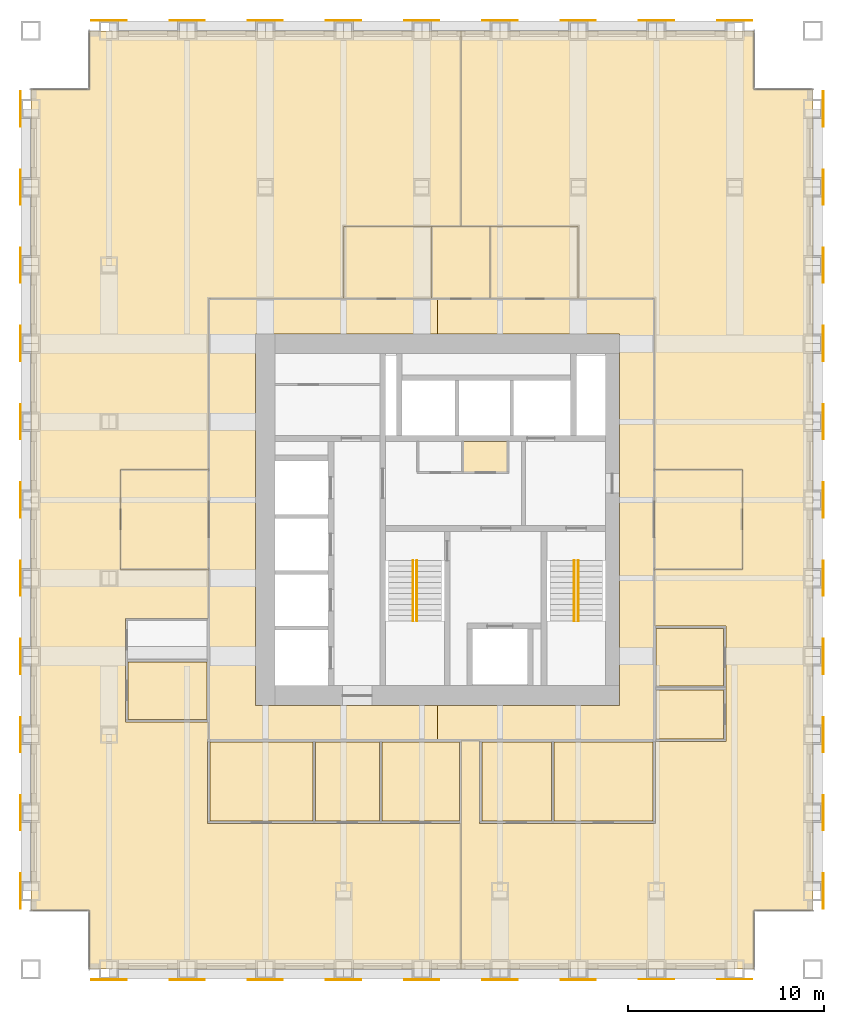
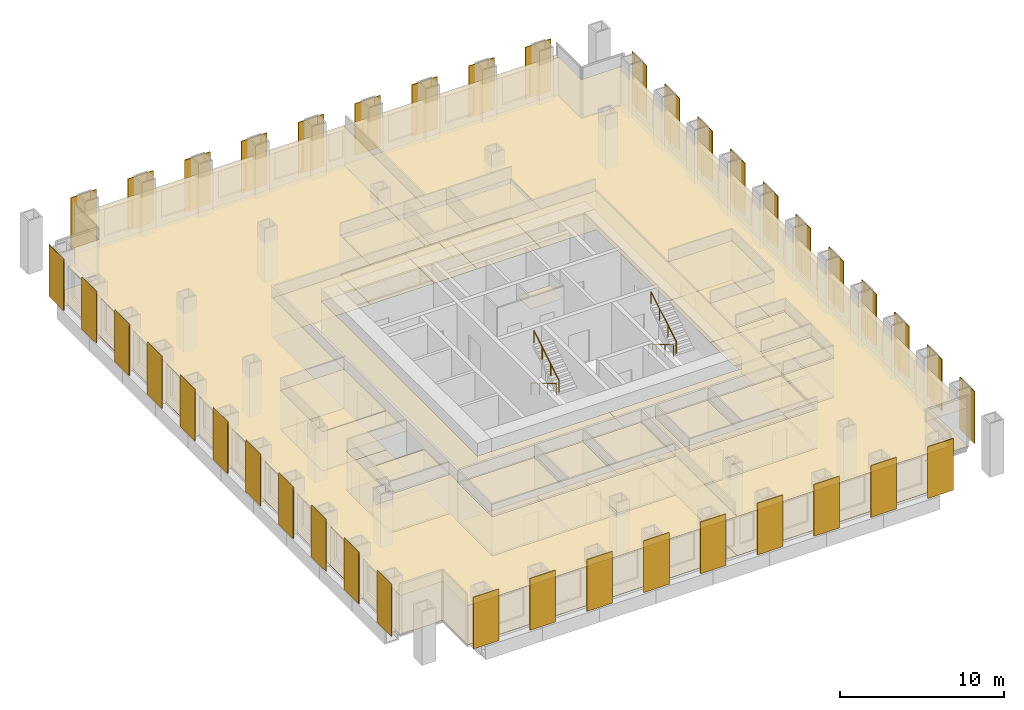
# One storey, part 12 of 12: 40 shading devices, 33 coverings, 4 railings.
"""IFC4 building model written with IfcOpenShell, lengths in metres."""

from ifc_helpers import new_model, si_unit, direction, frame, origin, origin_2d, place, context, subcontext, project, spatial, polyline, rectangle, circle, outline, extrude, material, layer, layer_set, type_object, element, save


model = new_model("IFC4")

# Units and contexts
model_context = context("Model", 3, precision=1e-05, world=origin(), true_north=direction((0.0, 1.0)))
body_context = subcontext(model_context, "Body", "Model", "MODEL_VIEW")
ifc_project = project(units=[si_unit("LENGTHUNIT", "METRE"), si_unit("AREAUNIT", "SQUARE_METRE"), si_unit("VOLUMEUNIT", "CUBIC_METRE"), si_unit("PLANEANGLEUNIT", "RADIAN"), si_unit("MASSUNIT", "GRAM", prefix="KILO")], contexts=[model_context])

# Site, building, storey
site_placement = place(None, origin())
site = spatial("IfcSite", under=ifc_project, at=site_placement, CompositionType="ELEMENT")
building_placement = place(site_placement, origin())
building = spatial("IfcBuilding", under=site, at=building_placement, Name="Rimbunsela Tower", CompositionType="ELEMENT")
storey_placement = place(building_placement, frame((0.0, 0.0, 147.800048828125)))
storey = spatial("IfcBuildingStorey", under=building, at=storey_placement, Name="L35", CompositionType="ELEMENT", Elevation=147.800048828125)

# Coverings
ifc_material_1 = material(Name="Nylon carpet tile", Category="textile")
ifc_layer_1 = layer(ifc_material_1, 0.010009765625)
ifc_layer_set_1 = layer_set([ifc_layer_1], Name="Carpet tile 10")
covering_type_1 = type_object("IfcCoveringType", Name="Carpet tile 10", PredefinedType="FLOORING", material=ifc_layer_set_1)
covering_1_placement = place(storey_placement, origin())
element("IfcCovering", 1, at=covering_1_placement, inside=storey, type_object=covering_type_1, Name="Floor finish Open office", PredefinedType="FLOORING", context=body_context, shape_type="SweptSolid", body=[
    extrude(outline(polyline([(20.550048828125, 11.449951171875), (23.85009765625, 11.449951171875), (23.949951171875, 11.449951171875), (27.9990234375, 11.449951171875), (27.9990234375, 4.0), (15.10009765625, 4.0), (9.0, 4.0), (9.0, 7.0), (6.0, 7.0), (6.0, 49.0), (9.0, 49.0), (9.0, 52.0), (15.10009765625, 52.0), (27.9990234375, 52.0), (27.9990234375, 42.0), (22.0, 42.0), (22.0, 38.300048828125), (15.10009765625, 38.300048828125), (15.10009765625, 29.550048828125), (10.60009765625, 29.550048828125), (10.60009765625, 24.449951171875), (15.10009765625, 24.449951171875), (15.10009765625, 21.949951171875), (10.85009765625, 21.949951171875), (10.85009765625, 19.85009765625), (10.85009765625, 19.75), (10.85009765625, 16.64990234375), (15.10009765625, 16.64990234375), (15.10009765625, 15.75), (15.050048828125, 15.75), (15.050048828125, 11.449951171875), (15.10009765625, 11.449951171875), (20.449951171875, 11.449951171875), (20.550048828125, 11.449951171875)])), origin(), (0.0, 0.0, 1.0), 0.010009765625),
])
covering_2_placement = place(storey_placement, origin())
element("IfcCovering", 2, at=covering_2_placement, inside=storey, type_object=covering_type_1, Name="Floor finish Open office", PredefinedType="FLOORING", context=body_context, shape_type="SweptSolid", body=[
    extrude(outline(polyline([(28.0009765625, 15.699951171875), (28.948974609375, 15.699951171875), (28.948974609375, 11.449951171875), (32.64892578125, 11.449951171875), (32.7490234375, 11.449951171875), (37.89990234375, 11.449951171875), (37.949951171875, 11.449951171875), (37.949951171875, 15.64990234375), (41.550048828125, 15.64990234375), (41.550048828125, 18.35009765625), (41.550048828125, 18.39990234375), (41.550048828125, 21.550048828125), (37.89990234375, 21.550048828125), (37.89990234375, 24.449951171875), (42.39990234375, 24.449951171875), (42.39990234375, 29.550048828125), (37.89990234375, 29.550048828125), (37.89990234375, 38.300048828125), (34.0, 38.300048828125), (34.0, 42.0), (28.0009765625, 42.0), (28.0009765625, 52.0), (37.89990234375, 52.0), (43.0, 52.0), (43.0, 49.0), (46.0, 49.0), (46.0, 7.0), (43.0, 7.0), (43.0, 4.0), (37.89990234375, 4.0), (28.0009765625, 4.0), (28.0009765625, 15.699951171875)])), origin(), (0.0, 0.0, 1.0), 0.010009765625),
])
covering_3_placement = place(storey_placement, origin())
element("IfcCovering", 3, at=covering_3_placement, inside=storey, type_object=covering_type_1, Name="Floor finish Reception", PredefinedType="FLOORING", context=body_context, shape_type="SweptSolid", body=[
    extrude(outline(polyline([(15.10009765625, 24.449951171875), (15.10009765625, 29.550048828125), (10.60009765625, 29.550048828125), (10.60009765625, 24.449951171875), (15.10009765625, 24.449951171875)])), origin(), (0.0, 0.0, 1.0), 0.010009765625),
])
covering_4_placement = place(storey_placement, origin())
element("IfcCovering", 4, at=covering_4_placement, inside=storey, type_object=covering_type_1, Name="Floor finish Reception", PredefinedType="FLOORING", context=body_context, shape_type="SweptSolid", body=[
    extrude(outline(polyline([(42.39990234375, 24.449951171875), (42.39990234375, 29.550048828125), (37.89990234375, 29.550048828125), (37.89990234375, 24.449951171875), (42.39990234375, 24.449951171875)])), origin(), (0.0, 0.0, 1.0), 0.010009765625),
])
covering_5_placement = place(storey_placement, origin())
element("IfcCovering", 5, at=covering_5_placement, inside=storey, type_object=covering_type_1, Name="Floor finish Meeting room", PredefinedType="FLOORING", context=body_context, shape_type="SweptSolid", body=[
    extrude(outline(polyline([(20.425048828125, 11.574951171875), (20.425048828125, 15.625), (15.175048828125, 15.625), (15.175048828125, 11.574951171875), (20.425048828125, 11.574951171875)])), origin(), (0.0, 0.0, 1.0), 0.010009765625),
])
covering_6_placement = place(storey_placement, origin())
element("IfcCovering", 6, at=covering_6_placement, inside=storey, type_object=covering_type_1, Name="Floor finish Pantry", PredefinedType="FLOORING", context=body_context, shape_type="SweptSolid", body=[
    extrude(outline(polyline([(23.824951171875, 11.574951171875), (23.824951171875, 15.625), (20.574951171875, 15.625), (20.574951171875, 11.574951171875), (23.824951171875, 11.574951171875)])), origin(), (0.0, 0.0, 1.0), 0.010009765625),
])
covering_7_placement = place(storey_placement, origin())
element("IfcCovering", 7, at=covering_7_placement, inside=storey, type_object=covering_type_1, Name="Floor finish Print and copy room", PredefinedType="FLOORING", context=body_context, shape_type="SweptSolid", body=[
    extrude(outline(polyline([(27.924072265625, 11.574951171875), (27.924072265625, 15.625), (23.97509765625, 15.625), (23.97509765625, 11.574951171875), (27.924072265625, 11.574951171875)])), origin(), (0.0, 0.0, 1.0), 0.010009765625),
])
covering_8_placement = place(storey_placement, origin())
element("IfcCovering", 8, at=covering_8_placement, inside=storey, type_object=covering_type_1, Name="Floor finish Office", PredefinedType="FLOORING", context=body_context, shape_type="SweptSolid", body=[
    extrude(outline(polyline([(15.02490234375, 16.77490234375), (15.02490234375, 19.72509765625), (10.97509765625, 19.72509765625), (10.97509765625, 16.77490234375), (15.02490234375, 16.77490234375)])), origin(), (0.0, 0.0, 1.0), 0.010009765625),
])
covering_9_placement = place(storey_placement, origin())
element("IfcCovering", 9, at=covering_9_placement, inside=storey, type_object=covering_type_1, Name="Floor finish Meeting room", PredefinedType="FLOORING", context=body_context, shape_type="SweptSolid", body=[
    extrude(outline(polyline([(32.6240234375, 11.574951171875), (32.6240234375, 15.625), (29.073974609375, 15.625), (29.073974609375, 11.574951171875), (32.6240234375, 11.574951171875)])), origin(), (0.0, 0.0, 1.0), 0.010009765625),
])
covering_10_placement = place(storey_placement, origin())
element("IfcCovering", 10, at=covering_10_placement, inside=storey, type_object=covering_type_1, Name="Floor finish Pantry", PredefinedType="FLOORING", context=body_context, shape_type="SweptSolid", body=[
    extrude(outline(polyline([(37.824951171875, 11.574951171875), (37.824951171875, 15.625), (32.77392578125, 15.625), (32.77392578125, 11.574951171875), (37.824951171875, 11.574951171875)])), origin(), (0.0, 0.0, 1.0), 0.010009765625),
])
covering_11_placement = place(storey_placement, origin())
element("IfcCovering", 11, at=covering_11_placement, inside=storey, type_object=covering_type_1, Name="Floor finish Print and copy room", PredefinedType="FLOORING", context=body_context, shape_type="SweptSolid", body=[
    extrude(outline(polyline([(41.425048828125, 15.77490234375), (41.425048828125, 18.27490234375), (37.97509765625, 18.27490234375), (37.97509765625, 15.77490234375), (41.425048828125, 15.77490234375)])), origin(), (0.0, 0.0, 1.0), 0.010009765625),
])
covering_12_placement = place(storey_placement, origin())
element("IfcCovering", 12, at=covering_12_placement, inside=storey, type_object=covering_type_1, Name="Floor finish Office", PredefinedType="FLOORING", context=body_context, shape_type="SweptSolid", body=[
    extrude(outline(polyline([(41.425048828125, 18.47509765625), (41.425048828125, 21.425048828125), (37.97509765625, 21.425048828125), (37.97509765625, 18.47509765625), (41.425048828125, 18.47509765625)])), origin(), (0.0, 0.0, 1.0), 0.010009765625),
])
ifc_material_2 = material(Name="Mineral fibre ceiling tile", Category="gypsum")
ifc_layer_2 = layer(ifc_material_2, 0.02001953125)
ifc_layer_set_2 = layer_set([ifc_layer_2], Name="Ceiling 600 grid")
covering_type_2 = type_object("IfcCoveringType", Name="Ceiling 600 grid", PredefinedType="CEILING", material=ifc_layer_set_2)
covering_13_placement = place(storey_placement, frame((0.0, 0.0, 2.89990234375)))
element("IfcCovering", 13, at=covering_13_placement, inside=storey, type_object=covering_type_2, Name="Ceiling IT room", PredefinedType="CEILING", context=body_context, shape_type="SweptSolid", body=[
    extrude(outline(polyline([(30.39990234375, 29.39990234375), (30.39990234375, 31.0), (28.10009765625, 31.0), (28.10009765625, 29.39990234375), (30.39990234375, 29.39990234375)])), origin(), (0.0, 0.0, 1.0), 0.02001953125),
])
covering_14_placement = place(storey_placement, frame((0.0, 0.0, 2.89990234375)))
element("IfcCovering", 14, at=covering_14_placement, inside=storey, type_object=covering_type_2, Name="Ceiling Ring corridor", PredefinedType="CEILING", context=body_context, shape_type="SweptSolid", body=[
    extrude(outline(polyline([(15.10009765625, 38.300048828125), (26.800048828125, 38.300048828125), (26.800048828125, 36.5), (17.5, 36.5), (17.5, 17.5), (26.800048828125, 17.5), (26.800048828125, 15.699951171875), (15.10009765625, 15.699951171875), (15.10009765625, 38.300048828125)])), origin(), (0.0, 0.0, 1.0), 0.02001953125),
])
covering_15_placement = place(storey_placement, frame((0.0, 0.0, 2.89990234375)))
element("IfcCovering", 15, at=covering_15_placement, inside=storey, type_object=covering_type_2, Name="Ceiling Ring corridor", PredefinedType="CEILING", context=body_context, shape_type="SweptSolid", body=[
    extrude(outline(polyline([(37.89990234375, 38.300048828125), (37.89990234375, 15.699951171875), (26.800048828125, 15.699951171875), (26.800048828125, 17.5), (36.10009765625, 17.5), (36.10009765625, 36.5), (26.800048828125, 36.5), (26.800048828125, 38.300048828125), (37.89990234375, 38.300048828125)])), origin(), (0.0, 0.0, 1.0), 0.02001953125),
])
covering_16_placement = place(storey_placement, frame((0.0, 0.0, 2.89990234375)))
element("IfcCovering", 16, at=covering_16_placement, inside=storey, type_object=covering_type_2, Name="Ceiling Open office", PredefinedType="CEILING", context=body_context, shape_type="SweptSolid", body=[
    extrude(outline(polyline([(20.550048828125, 11.449951171875), (23.85009765625, 11.449951171875), (23.949951171875, 11.449951171875), (27.9990234375, 11.449951171875), (27.9990234375, 4.0), (15.10009765625, 4.0), (9.0, 4.0), (9.0, 7.0), (6.0, 7.0), (6.0, 49.0), (9.0, 49.0), (9.0, 52.0), (15.10009765625, 52.0), (27.9990234375, 52.0), (27.9990234375, 42.0), (22.0, 42.0), (22.0, 38.300048828125), (15.10009765625, 38.300048828125), (15.10009765625, 29.550048828125), (10.60009765625, 29.550048828125), (10.60009765625, 24.449951171875), (15.10009765625, 24.449951171875), (15.10009765625, 21.949951171875), (10.85009765625, 21.949951171875), (10.85009765625, 19.85009765625), (10.85009765625, 19.75), (10.85009765625, 16.64990234375), (15.10009765625, 16.64990234375), (15.10009765625, 15.75), (15.050048828125, 15.75), (15.050048828125, 11.449951171875), (15.10009765625, 11.449951171875), (20.449951171875, 11.449951171875), (20.550048828125, 11.449951171875)])), origin(), (0.0, 0.0, 1.0), 0.02001953125),
])
covering_17_placement = place(storey_placement, frame((0.0, 0.0, 2.89990234375)))
element("IfcCovering", 17, at=covering_17_placement, inside=storey, type_object=covering_type_2, Name="Ceiling Open office", PredefinedType="CEILING", context=body_context, shape_type="SweptSolid", body=[
    extrude(outline(polyline([(28.0009765625, 15.699951171875), (28.948974609375, 15.699951171875), (28.948974609375, 11.449951171875), (32.64892578125, 11.449951171875), (32.7490234375, 11.449951171875), (37.89990234375, 11.449951171875), (37.949951171875, 11.449951171875), (37.949951171875, 15.64990234375), (41.550048828125, 15.64990234375), (41.550048828125, 18.35009765625), (41.550048828125, 18.39990234375), (41.550048828125, 21.550048828125), (37.89990234375, 21.550048828125), (37.89990234375, 24.449951171875), (42.39990234375, 24.449951171875), (42.39990234375, 29.550048828125), (37.89990234375, 29.550048828125), (37.89990234375, 38.300048828125), (34.0, 38.300048828125), (34.0, 42.0), (28.0009765625, 42.0), (28.0009765625, 52.0), (37.89990234375, 52.0), (43.0, 52.0), (43.0, 49.0), (46.0, 49.0), (46.0, 7.0), (43.0, 7.0), (43.0, 4.0), (37.89990234375, 4.0), (28.0009765625, 4.0), (28.0009765625, 15.699951171875)])), origin(), (0.0, 0.0, 1.0), 0.02001953125),
])
covering_18_placement = place(storey_placement, frame((0.0, 0.0, 2.89990234375)))
element("IfcCovering", 18, at=covering_18_placement, inside=storey, type_object=covering_type_2, Name="Ceiling Reception", PredefinedType="CEILING", context=body_context, shape_type="SweptSolid", body=[
    extrude(outline(polyline([(15.10009765625, 24.449951171875), (15.10009765625, 29.550048828125), (10.60009765625, 29.550048828125), (10.60009765625, 24.449951171875), (15.10009765625, 24.449951171875)])), origin(), (0.0, 0.0, 1.0), 0.02001953125),
])
covering_19_placement = place(storey_placement, frame((0.0, 0.0, 2.89990234375)))
element("IfcCovering", 19, at=covering_19_placement, inside=storey, type_object=covering_type_2, Name="Ceiling Reception", PredefinedType="CEILING", context=body_context, shape_type="SweptSolid", body=[
    extrude(outline(polyline([(42.39990234375, 24.449951171875), (42.39990234375, 29.550048828125), (37.89990234375, 29.550048828125), (37.89990234375, 24.449951171875), (42.39990234375, 24.449951171875)])), origin(), (0.0, 0.0, 1.0), 0.02001953125),
])
covering_20_placement = place(storey_placement, frame((0.0, 0.0, 2.89990234375)))
element("IfcCovering", 20, at=covering_20_placement, inside=storey, type_object=covering_type_2, Name="Ceiling Meeting room", PredefinedType="CEILING", context=body_context, shape_type="SweptSolid", body=[
    extrude(outline(polyline([(20.425048828125, 11.574951171875), (20.425048828125, 15.625), (15.175048828125, 15.625), (15.175048828125, 11.574951171875), (20.425048828125, 11.574951171875)])), origin(), (0.0, 0.0, 1.0), 0.02001953125),
])
covering_21_placement = place(storey_placement, frame((0.0, 0.0, 2.89990234375)))
element("IfcCovering", 21, at=covering_21_placement, inside=storey, type_object=covering_type_2, Name="Ceiling Pantry", PredefinedType="CEILING", context=body_context, shape_type="SweptSolid", body=[
    extrude(outline(polyline([(23.824951171875, 11.574951171875), (23.824951171875, 15.625), (20.574951171875, 15.625), (20.574951171875, 11.574951171875), (23.824951171875, 11.574951171875)])), origin(), (0.0, 0.0, 1.0), 0.02001953125),
])
covering_22_placement = place(storey_placement, frame((0.0, 0.0, 2.89990234375)))
element("IfcCovering", 22, at=covering_22_placement, inside=storey, type_object=covering_type_2, Name="Ceiling Print and copy room", PredefinedType="CEILING", context=body_context, shape_type="SweptSolid", body=[
    extrude(outline(polyline([(27.924072265625, 11.574951171875), (27.924072265625, 15.625), (23.97509765625, 15.625), (23.97509765625, 11.574951171875), (27.924072265625, 11.574951171875)])), origin(), (0.0, 0.0, 1.0), 0.02001953125),
])
covering_23_placement = place(storey_placement, frame((0.0, 0.0, 2.89990234375)))
element("IfcCovering", 23, at=covering_23_placement, inside=storey, type_object=covering_type_2, Name="Ceiling Office", PredefinedType="CEILING", context=body_context, shape_type="SweptSolid", body=[
    extrude(outline(polyline([(15.02490234375, 16.77490234375), (15.02490234375, 19.72509765625), (10.97509765625, 19.72509765625), (10.97509765625, 16.77490234375), (15.02490234375, 16.77490234375)])), origin(), (0.0, 0.0, 1.0), 0.02001953125),
])
covering_24_placement = place(storey_placement, frame((0.0, 0.0, 2.89990234375)))
element("IfcCovering", 24, at=covering_24_placement, inside=storey, type_object=covering_type_2, Name="Ceiling Meeting room", PredefinedType="CEILING", context=body_context, shape_type="SweptSolid", body=[
    extrude(outline(polyline([(32.6240234375, 11.574951171875), (32.6240234375, 15.625), (29.073974609375, 15.625), (29.073974609375, 11.574951171875), (32.6240234375, 11.574951171875)])), origin(), (0.0, 0.0, 1.0), 0.02001953125),
])
covering_25_placement = place(storey_placement, frame((0.0, 0.0, 2.89990234375)))
element("IfcCovering", 25, at=covering_25_placement, inside=storey, type_object=covering_type_2, Name="Ceiling Pantry", PredefinedType="CEILING", context=body_context, shape_type="SweptSolid", body=[
    extrude(outline(polyline([(37.824951171875, 11.574951171875), (37.824951171875, 15.625), (32.77392578125, 15.625), (32.77392578125, 11.574951171875), (37.824951171875, 11.574951171875)])), origin(), (0.0, 0.0, 1.0), 0.02001953125),
])
covering_26_placement = place(storey_placement, frame((0.0, 0.0, 2.89990234375)))
element("IfcCovering", 26, at=covering_26_placement, inside=storey, type_object=covering_type_2, Name="Ceiling Print and copy room", PredefinedType="CEILING", context=body_context, shape_type="SweptSolid", body=[
    extrude(outline(polyline([(41.425048828125, 15.77490234375), (41.425048828125, 18.27490234375), (37.97509765625, 18.27490234375), (37.97509765625, 15.77490234375), (41.425048828125, 15.77490234375)])), origin(), (0.0, 0.0, 1.0), 0.02001953125),
])
covering_27_placement = place(storey_placement, frame((0.0, 0.0, 2.89990234375)))
element("IfcCovering", 27, at=covering_27_placement, inside=storey, type_object=covering_type_2, Name="Ceiling Office", PredefinedType="CEILING", context=body_context, shape_type="SweptSolid", body=[
    extrude(outline(polyline([(41.425048828125, 18.47509765625), (41.425048828125, 21.425048828125), (37.97509765625, 21.425048828125), (37.97509765625, 18.47509765625), (41.425048828125, 18.47509765625)])), origin(), (0.0, 0.0, 1.0), 0.02001953125),
])
ifc_material_3 = material(Name="Moisture-resistant plasterboard ceiling", Category="gypsum")
ifc_layer_3 = layer(ifc_material_3, 0.012451171875)
ifc_layer_set_3 = layer_set([ifc_layer_3], Name="Ceiling moisture-resistant board")
covering_type_3 = type_object("IfcCoveringType", Name="Ceiling moisture-resistant board", PredefinedType="CEILING", material=ifc_layer_set_3)
covering_28_placement = place(storey_placement, frame((0.0, 0.0, 2.599853515625)))
element("IfcCovering", 28, at=covering_28_placement, inside=storey, type_object=covering_type_3, Name="Ceiling Female WC", PredefinedType="CEILING", context=body_context, shape_type="SweptSolid", body=[
    extrude(outline(polyline([(26.5, 38.300048828125), (26.5, 42.0), (22.0, 42.0), (22.0, 38.300048828125), (26.5, 38.300048828125)])), origin(), (0.0, 0.0, 1.0), 0.02001953125),
])
covering_29_placement = place(storey_placement, frame((0.0, 0.0, 2.599853515625)))
element("IfcCovering", 29, at=covering_29_placement, inside=storey, type_object=covering_type_3, Name="Ceiling Accessible WC", PredefinedType="CEILING", context=body_context, shape_type="SweptSolid", body=[
    extrude(outline(polyline([(29.5, 38.300048828125), (29.5, 42.0), (26.5, 42.0), (26.5, 38.300048828125), (29.5, 38.300048828125)])), origin(), (0.0, 0.0, 1.0), 0.02001953125),
])
covering_30_placement = place(storey_placement, frame((0.0, 0.0, 2.599853515625)))
element("IfcCovering", 30, at=covering_30_placement, inside=storey, type_object=covering_type_3, Name="Ceiling Male WC", PredefinedType="CEILING", context=body_context, shape_type="SweptSolid", body=[
    extrude(outline(polyline([(34.0, 38.300048828125), (34.0, 42.0), (29.5, 42.0), (29.5, 38.300048828125), (34.0, 38.300048828125)])), origin(), (0.0, 0.0, 1.0), 0.02001953125),
])
ifc_material_4 = material(Name="Porcelain floor tile in adhesive bed", Category="ceramic")
ifc_layer_4 = layer(ifc_material_4, 0.02001953125)
ifc_layer_set_4 = layer_set([ifc_layer_4], Name="Porcelain tile 20")
covering_type_4 = type_object("IfcCoveringType", Name="Porcelain tile 20", PredefinedType="FLOORING", material=ifc_layer_set_4)
covering_31_placement = place(storey_placement, origin())
element("IfcCovering", 31, at=covering_31_placement, inside=storey, type_object=covering_type_4, Name="Floor finish Female WC", PredefinedType="FLOORING", context=body_context, shape_type="SweptSolid", body=[
    extrude(outline(polyline([(26.5, 38.300048828125), (26.5, 42.0), (22.0, 42.0), (22.0, 38.300048828125), (26.5, 38.300048828125)])), origin(), (0.0, 0.0, 1.0), 0.02001953125),
])
covering_32_placement = place(storey_placement, origin())
element("IfcCovering", 32, at=covering_32_placement, inside=storey, type_object=covering_type_4, Name="Floor finish Accessible WC", PredefinedType="FLOORING", context=body_context, shape_type="SweptSolid", body=[
    extrude(outline(polyline([(29.5, 38.300048828125), (29.5, 42.0), (26.5, 42.0), (26.5, 38.300048828125), (29.5, 38.300048828125)])), origin(), (0.0, 0.0, 1.0), 0.02001953125),
])
covering_33_placement = place(storey_placement, origin())
element("IfcCovering", 33, at=covering_33_placement, inside=storey, type_object=covering_type_4, Name="Floor finish Male WC", PredefinedType="FLOORING", context=body_context, shape_type="SweptSolid", body=[
    extrude(outline(polyline([(34.0, 38.300048828125), (34.0, 42.0), (29.5, 42.0), (29.5, 38.300048828125), (34.0, 38.300048828125)])), origin(), (0.0, 0.0, 1.0), 0.02001953125),
])

# Shading devices
ifc_material_5 = material(Name="Perforated aluminium, 35 % open area", Category="aluminium")
ifc_layer_5 = layer(ifc_material_5, 0.050048828125)
ifc_layer_set_5 = layer_set([ifc_layer_5], Name="Solar screen panel 1800")
shading_device_type = type_object("IfcShadingDeviceType", Name="Solar screen panel 1800", PredefinedType="USERDEFINED", material=ifc_layer_set_5)
for number, where, z_axis, x_axis, name in (
    (34, (10.0, 3.47509765625, 0.0), (0.0, 0.0, 1.0), (1.0, 0.0, 0.0), "Solar screen S L35"),
    (35, (14.0, 3.47509765625, 0.0), (0.0, 0.0, 1.0), (1.0, 0.0, 0.0), "Solar screen S L35"),
    (36, (18.0, 3.47509765625, 0.0), (0.0, 0.0, 1.0), (1.0, 0.0, 0.0), "Solar screen S L35"),
    (37, (22.0, 3.47509765625, 0.0), (0.0, 0.0, 1.0), (1.0, 0.0, 0.0), "Solar screen S L35"),
    (38, (26.0, 3.47509765625, 0.0), (0.0, 0.0, 1.0), (1.0, 0.0, 0.0), "Solar screen S L35"),
    (39, (30.0, 3.47509765625, 0.0), (0.0, 0.0, 1.0), (1.0, 0.0, 0.0), "Solar screen S L35"),
    (40, (34.0, 3.47509765625, 0.0), (0.0, 0.0, 1.0), (1.0, 0.0, 0.0), "Solar screen S L35"),
    (41, (38.0, 3.47509765625, 0.0), (0.0, 0.0, 1.0), (1.0, 0.0, 0.0), "Solar screen S L35"),
    (42, (42.0, 3.47509765625, 0.0), (0.0, 0.0, 1.0), (1.0, 0.0, 0.0), "Solar screen S L35"),
    (43, (46.52490234375, 8.0, 0.0), (0.0, 0.0, 1.0), (0.0, 1.0, 0.0), "Solar screen E L35"),
    (44, (46.52490234375, 12.0, 0.0), (0.0, 0.0, 1.0), (0.0, 1.0, 0.0), "Solar screen E L35"),
    (45, (46.52490234375, 16.0, 0.0), (0.0, 0.0, 1.0), (0.0, 1.0, 0.0), "Solar screen E L35"),
    (46, (46.52490234375, 20.0, 0.0), (0.0, 0.0, 1.0), (0.0, 1.0, 0.0), "Solar screen E L35"),
    (47, (46.52490234375, 24.0, 0.0), (0.0, 0.0, 1.0), (0.0, 1.0, 0.0), "Solar screen E L35"),
    (48, (46.52490234375, 28.0, 0.0), (0.0, 0.0, 1.0), (0.0, 1.0, 0.0), "Solar screen E L35"),
    (49, (46.52490234375, 32.0, 0.0), (0.0, 0.0, 1.0), (0.0, 1.0, 0.0), "Solar screen E L35"),
    (50, (46.52490234375, 36.0, 0.0), (0.0, 0.0, 1.0), (0.0, 1.0, 0.0), "Solar screen E L35"),
    (51, (46.52490234375, 40.0, 0.0), (0.0, 0.0, 1.0), (0.0, 1.0, 0.0), "Solar screen E L35"),
    (52, (46.52490234375, 44.0, 0.0), (0.0, 0.0, 1.0), (0.0, 1.0, 0.0), "Solar screen E L35"),
    (53, (46.52490234375, 48.0, 0.0), (0.0, 0.0, 1.0), (0.0, 1.0, 0.0), "Solar screen E L35"),
    (54, (10.0, 52.52490234375, 0.0), (0.0, 0.0, 1.0), (1.0, 0.0, 0.0), "Solar screen N L35"),
    (55, (14.0, 52.52490234375, 0.0), (0.0, 0.0, 1.0), (1.0, 0.0, 0.0), "Solar screen N L35"),
    (56, (18.0, 52.52490234375, 0.0), (0.0, 0.0, 1.0), (1.0, 0.0, 0.0), "Solar screen N L35"),
    (57, (22.0, 52.52490234375, 0.0), (0.0, 0.0, 1.0), (1.0, 0.0, 0.0), "Solar screen N L35"),
    (58, (26.0, 52.52490234375, 0.0), (0.0, 0.0, 1.0), (1.0, 0.0, 0.0), "Solar screen N L35"),
    (59, (30.0, 52.52490234375, 0.0), (0.0, 0.0, 1.0), (1.0, 0.0, 0.0), "Solar screen N L35"),
    (60, (34.0, 52.52490234375, 0.0), (0.0, 0.0, 1.0), (1.0, 0.0, 0.0), "Solar screen N L35"),
    (61, (38.0, 52.52490234375, 0.0), (0.0, 0.0, 1.0), (1.0, 0.0, 0.0), "Solar screen N L35"),
    (62, (42.0, 52.52490234375, 0.0), (0.0, 0.0, 1.0), (1.0, 0.0, 0.0), "Solar screen N L35"),
    (63, (5.47509765625, 8.0, 0.0), (0.0, 0.0, 1.0), (0.0, 1.0, 0.0), "Solar screen W L35"),
    (64, (5.47509765625, 12.0, 0.0), (0.0, 0.0, 1.0), (0.0, 1.0, 0.0), "Solar screen W L35"),
    (65, (5.47509765625, 16.0, 0.0), (0.0, 0.0, 1.0), (0.0, 1.0, 0.0), "Solar screen W L35"),
    (66, (5.47509765625, 20.0, 0.0), (0.0, 0.0, 1.0), (0.0, 1.0, 0.0), "Solar screen W L35"),
    (67, (5.47509765625, 24.0, 0.0), (0.0, 0.0, 1.0), (0.0, 1.0, 0.0), "Solar screen W L35"),
    (68, (5.47509765625, 28.0, 0.0), (0.0, 0.0, 1.0), (0.0, 1.0, 0.0), "Solar screen W L35"),
    (69, (5.47509765625, 32.0, 0.0), (0.0, 0.0, 1.0), (0.0, 1.0, 0.0), "Solar screen W L35"),
    (70, (5.47509765625, 36.0, 0.0), (0.0, 0.0, 1.0), (0.0, 1.0, 0.0), "Solar screen W L35"),
    (71, (5.47509765625, 40.0, 0.0), (0.0, 0.0, 1.0), (0.0, 1.0, 0.0), "Solar screen W L35"),
    (72, (5.47509765625, 44.0, 0.0), (0.0, 0.0, 1.0), (0.0, 1.0, 0.0), "Solar screen W L35"),
    (73, (5.47509765625, 48.0, 0.0), (0.0, 0.0, 1.0), (0.0, 1.0, 0.0), "Solar screen W L35"),
):
    element("IfcShadingDevice", number, at=place(storey_placement, frame(where, z_axis=z_axis, x_axis=x_axis)), inside=storey, type_object=shading_device_type, Name=name, ObjectType="SCREEN", PredefinedType="USERDEFINED", context=body_context, shape_type="SweptSolid", body=[
        extrude(rectangle(XDim=1.800048828125, YDim=0.050048828125, at=origin_2d()), origin(), (0.0, 0.0, 1.0), 3.85009765625),
    ])

# Railings
ifc_material_6 = material(Name="Stainless steel tube", Category="steel")
railing_type = type_object("IfcRailingType", Name="Stair handrail 900", PredefinedType="HANDRAIL", material=ifc_material_6)
railing_1_placement = place(storey_placement, frame((25.550048828125, 24.89990234375, 0.16650390625)))
element("IfcRailing", 74, at=railing_1_placement, inside=storey, type_object=railing_type, Name="Handrail ST-A flight 1", PredefinedType="HANDRAIL", context=body_context, shape_type="SweptSolid", body=[
    extrude(circle(Radius=0.02392578125, at=origin_2d()), frame((0.0, 0.0, 0.8759765625), z_axis=(0.0, -0.859260807169, 0.511537745687), x_axis=(1.0, 0.0, 0.0)), (0.0, 0.0, 1.0), 3.584228515625),
    extrude(circle(Radius=0.02099609375, at=origin_2d()), origin(), (0.0, 0.0, 1.0), 0.851806640625),
    extrude(circle(Radius=0.02099609375, at=origin_2d()), frame((0.0, -1.026611328125, 0.611083984375)), (0.0, 0.0, 1.0), 0.851806640625),
    extrude(circle(Radius=0.02099609375, at=origin_2d()), frame((0.0, -2.05322265625, 1.222412109375)), (0.0, 0.0, 1.0), 0.851806640625),
    extrude(circle(Radius=0.02099609375, at=origin_2d()), frame((0.0, -3.079833984375, 1.83349609375)), (0.0, 0.0, 1.0), 0.851806640625),
])
railing_2_placement = place(storey_placement, frame((25.75, 21.820068359375, 2.16650390625)))
element("IfcRailing", 75, at=railing_2_placement, inside=storey, type_object=railing_type, Name="Handrail ST-A flight 2", PredefinedType="HANDRAIL", context=body_context, shape_type="SweptSolid", body=[
    extrude(circle(Radius=0.02392578125, at=origin_2d()), frame((0.0, 0.0, 0.8759765625), z_axis=(0.0, 0.859260807169, 0.511537745687), x_axis=(-1.0, 0.0, 0.0)), (0.0, 0.0, 1.0), 3.584228515625),
    extrude(circle(Radius=0.02099609375, at=origin_2d()), origin(), (0.0, 0.0, 1.0), 0.851806640625),
    extrude(circle(Radius=0.02099609375, at=origin_2d()), frame((0.0, 1.026611328125, 0.611083984375)), (0.0, 0.0, 1.0), 0.851806640625),
    extrude(circle(Radius=0.02099609375, at=origin_2d()), frame((0.0, 2.05322265625, 1.222412109375)), (0.0, 0.0, 1.0), 0.851806640625),
    extrude(circle(Radius=0.02099609375, at=origin_2d()), frame((0.0, 3.079833984375, 1.83349609375)), (0.0, 0.0, 1.0), 0.851806640625),
])
railing_3_placement = place(storey_placement, frame((33.800048828125, 24.89990234375, 0.16650390625)))
element("IfcRailing", 76, at=railing_3_placement, inside=storey, type_object=railing_type, Name="Handrail ST-B flight 1", PredefinedType="HANDRAIL", context=body_context, shape_type="SweptSolid", body=[
    extrude(circle(Radius=0.02392578125, at=origin_2d()), frame((0.0, 0.0, 0.8759765625), z_axis=(0.0, -0.859260807169, 0.511537745687), x_axis=(1.0, 0.0, 0.0)), (0.0, 0.0, 1.0), 3.584228515625),
    extrude(circle(Radius=0.02099609375, at=origin_2d()), origin(), (0.0, 0.0, 1.0), 0.851806640625),
    extrude(circle(Radius=0.02099609375, at=origin_2d()), frame((0.0, -1.026611328125, 0.611083984375)), (0.0, 0.0, 1.0), 0.851806640625),
    extrude(circle(Radius=0.02099609375, at=origin_2d()), frame((0.0, -2.05322265625, 1.222412109375)), (0.0, 0.0, 1.0), 0.851806640625),
    extrude(circle(Radius=0.02099609375, at=origin_2d()), frame((0.0, -3.079833984375, 1.83349609375)), (0.0, 0.0, 1.0), 0.851806640625),
])
railing_4_placement = place(storey_placement, frame((34.0, 21.820068359375, 2.16650390625)))
element("IfcRailing", 77, at=railing_4_placement, inside=storey, type_object=railing_type, Name="Handrail ST-B flight 2", PredefinedType="HANDRAIL", context=body_context, shape_type="SweptSolid", body=[
    extrude(circle(Radius=0.02392578125, at=origin_2d()), frame((0.0, 0.0, 0.8759765625), z_axis=(0.0, 0.859260807169, 0.511537745687), x_axis=(-1.0, 0.0, 0.0)), (0.0, 0.0, 1.0), 3.584228515625),
    extrude(circle(Radius=0.02099609375, at=origin_2d()), origin(), (0.0, 0.0, 1.0), 0.851806640625),
    extrude(circle(Radius=0.02099609375, at=origin_2d()), frame((0.0, 1.026611328125, 0.611083984375)), (0.0, 0.0, 1.0), 0.851806640625),
    extrude(circle(Radius=0.02099609375, at=origin_2d()), frame((0.0, 2.05322265625, 1.222412109375)), (0.0, 0.0, 1.0), 0.851806640625),
    extrude(circle(Radius=0.02099609375, at=origin_2d()), frame((0.0, 3.079833984375, 1.83349609375)), (0.0, 0.0, 1.0), 0.851806640625),
])

save(model, "model.ifc")
